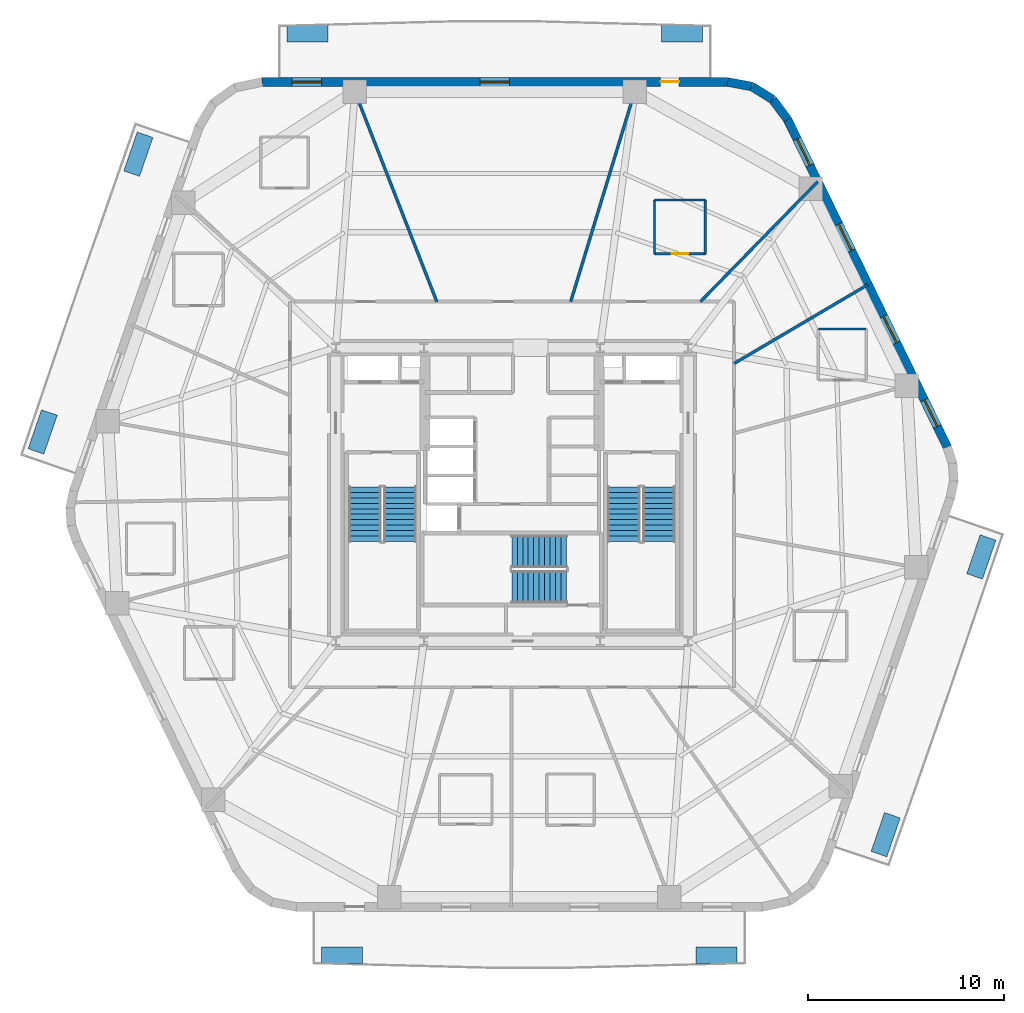
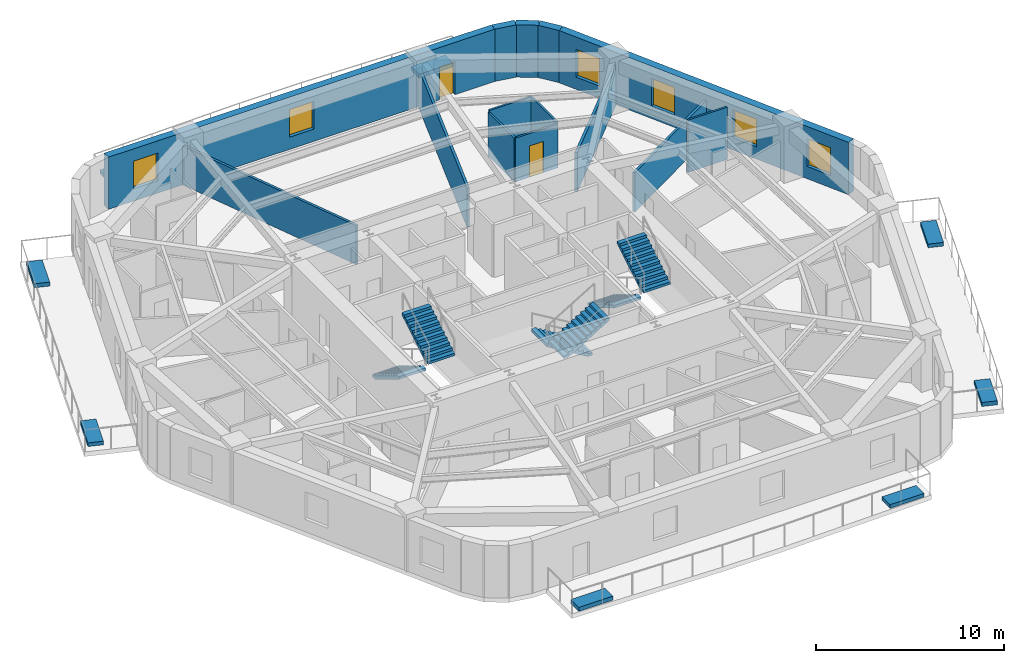
# One storey, part 6 of 8: 14 walls, 8 discrete accessories, 6 stair flights, 6 windows, 2 doors, 8 openings, 3 elements without a shape of their own.
"""IFC4 building model written with IfcOpenShell, lengths in metres."""

from ifc_helpers import new_model, si_unit, direction, frame, frame_2d, origin, origin_2d, place, context, subcontext, project, spatial, polyline, rectangle, outline, extrude, material, layer, layer_set, type_object, element, fill, aggregate, save


model = new_model("IFC4")

# Units and contexts
model_context = context("Model", 3, precision=1e-05, world=origin(), true_north=direction((0.0, 1.0)))
body_context = subcontext(model_context, "Body", "Model", "MODEL_VIEW")
ifc_project = project(units=[si_unit("LENGTHUNIT", "METRE"), si_unit("AREAUNIT", "SQUARE_METRE"), si_unit("VOLUMEUNIT", "CUBIC_METRE"), si_unit("PLANEANGLEUNIT", "RADIAN"), si_unit("MASSUNIT", "GRAM", prefix="KILO")], contexts=[model_context])

# Site, building, storey
site_placement = place(None, origin())
site = spatial("IfcSite", under=ifc_project, at=site_placement, CompositionType="ELEMENT")
building_placement = place(site_placement, origin())
building = spatial("IfcBuilding", under=site, at=building_placement, Name="Kilnhurst Terrace Hotel", CompositionType="ELEMENT")
storey_placement = place(building_placement, frame((0.0, 0.0, 102.5)))
storey = spatial("IfcBuildingStorey", under=building, at=storey_placement, Name="L24", CompositionType="ELEMENT", Elevation=102.5)

# Walls
ifc_material_1 = material(Name="Precast concrete C40/50", Category="concrete")
ifc_layer_1 = layer(ifc_material_1, 0.449951171875, Name="Precast concrete C40/50")
ifc_layer_set_1 = layer_set([ifc_layer_1], Name="Precast concrete C40/50")
wall_type_1 = type_object("IfcWallType", Name="WL-BRK-450", PredefinedType="SOLIDWALL", material=ifc_layer_set_1)
wall_1_placement = place(storey_placement, frame((14.07568359375, 19.16064453125, 0.0), z_axis=(0.0, 0.0, 1.0), x_axis=(-0.597226657159, 0.802072515412, 0.0)))
element("IfcWall", 1, at=wall_1_placement, inside=storey, type_object=wall_type_1, Name="L24 Rounded Corner Brick Wall C4.1", PredefinedType="SOLIDWALL", context=body_context, shape_type="SweptSolid", body=[
    extrude(rectangle(XDim=1.269287109375, YDim=0.449951171875, at=frame_2d((0.634765625, 0.0))), origin(), (0.0, 0.0, 1.0), 3.39990234375),
])
wall_2_placement = place(storey_placement, frame((13.317626953125, 20.1787109375, 0.0), z_axis=(0.0, 0.0, 1.0), x_axis=(-0.848031272749, 0.529946186362, 0.0)))
element("IfcWall", 2, at=wall_2_placement, inside=storey, type_object=wall_type_1, Name="L24 Rounded Corner Brick Wall C4.2", PredefinedType="SOLIDWALL", context=body_context, shape_type="SweptSolid", body=[
    extrude(rectangle(XDim=1.248046875, YDim=0.449951171875, at=frame_2d((0.6240234375, 0.0))), origin(), (0.0, 0.0, 1.0), 3.39990234375),
])
wall_3_placement = place(storey_placement, frame((12.25927734375, 20.840087890625, 0.0), z_axis=(0.0, 0.0, 1.0), x_axis=(-0.982730354425, 0.185043374624, 0.0)))
element("IfcWall", 3, at=wall_3_placement, inside=storey, type_object=wall_type_1, Name="L24 Rounded Corner Brick Wall C4.3", PredefinedType="SOLIDWALL", context=body_context, shape_type="SweptSolid", body=[
    extrude(rectangle(XDim=1.269287109375, YDim=0.449951171875, at=frame_2d((0.634765625, 0.0))), origin(), (0.0, 0.0, 1.0), 3.39990234375),
])

# Wall, openings, windows
wall_4_placement = place(storey_placement, frame((22.237548828125, 2.426513671875, 0.0), z_axis=(0.0, 0.0, 1.0), x_axis=(-0.438374803278, 0.898792262901, 0.0)))
wall_4 = element("IfcWall", 4, at=wall_4_placement, inside=storey, type_object=wall_type_1, Name="L24 Exterior Brick Facade Wall F3", PredefinedType="SOLIDWALL", context=body_context, shape_type="SweptSolid", body=[
    extrude(rectangle(XDim=18.618408203125, YDim=0.449951171875, at=frame_2d((9.30908203125, 0.0))), origin(), (0.0, 0.0, 1.0), 3.39990234375),
])
opening_1_placement = place(wall_4_placement, frame((5.926025390625, 0.0, 0.800048828125)))
opening_1 = element("IfcOpeningElement", 5, at=opening_1_placement, cuts=wall_4, Name="Opening W-02", PredefinedType="OPENING", context=body_context, shape_type="SweptSolid", body=[
    extrude(rectangle(XDim=1.5, YDim=1.800048828125, at=frame_2d((0.75, 0.89990234375))), frame((0.0, 0.23486328125, 0.0), z_axis=(0.0, -1.0, 0.0), x_axis=(1.0, 0.0, 0.0)), (0.0, 0.0, 1.0), 0.469970703125),
])
opening_2_placement = place(wall_4_placement, frame((11.1650390625, 0.0, 0.800048828125)))
opening_2 = element("IfcOpeningElement", 6, at=opening_2_placement, cuts=wall_4, Name="Opening W-02", PredefinedType="OPENING", context=body_context, shape_type="SweptSolid", body=[
    extrude(rectangle(XDim=1.5, YDim=1.800048828125, at=frame_2d((0.75, 0.89990234375))), frame((0.0, 0.23486328125, 0.0), z_axis=(0.0, -1.0, 0.0), x_axis=(1.0, 0.0, 0.0)), (0.0, 0.0, 1.0), 0.469970703125),
])
opening_3_placement = place(wall_4_placement, frame((16.006103515625, 0.0, 0.800048828125)))
opening_3 = element("IfcOpeningElement", 7, at=opening_3_placement, cuts=wall_4, Name="Opening W-02", PredefinedType="OPENING", context=body_context, shape_type="SweptSolid", body=[
    extrude(rectangle(XDim=1.5, YDim=1.800048828125, at=frame_2d((0.75, 0.89990234375))), frame((0.0, 0.23486328125, 0.0), z_axis=(0.0, -1.0, 0.0), x_axis=(1.0, 0.0, 0.0)), (0.0, 0.0, 1.0), 0.469970703125),
])
opening_4_placement = place(wall_4_placement, frame((1.1630859375, 0.0, 0.800048828125)))
opening_4 = element("IfcOpeningElement", 8, at=opening_4_placement, cuts=wall_4, Name="Opening W-02", PredefinedType="OPENING", context=body_context, shape_type="SweptSolid", body=[
    extrude(rectangle(XDim=1.5, YDim=1.800048828125, at=frame_2d((0.75, 0.89990234375))), frame((0.0, 0.23486328125, 0.0), z_axis=(0.0, -1.0, 0.0), x_axis=(1.0, 0.0, 0.0)), (0.0, 0.0, 1.0), 0.469970703125),
])
ifc_material_2 = material(Name="Thermally Broken Bronze Aluminium Alloy 6063-T6 and Low-E Glass", Category="aluminium")
window_type = type_object("IfcWindowType", Name="WIN-1500X1800", PartitioningType="SINGLE_PANEL", PredefinedType="WINDOW", material=ifc_material_2)
window_1_placement = place(opening_1_placement, origin())
window_1 = element("IfcWindow", 9, at=window_1_placement, inside=storey, type_object=window_type, Name="L24 Deep-Set Masonry Window F3.1", OverallHeight=1.800048828125, OverallWidth=1.5, PartitioningType="SINGLE_PANEL", PredefinedType="WINDOW", context=body_context, shape_type="SweptSolid", body=[
    extrude(rectangle(XDim=1.5, YDim=1.800048828125, at=frame_2d((0.75, 0.89990234375))), frame((0.0, 0.030029296875, 0.0), z_axis=(0.0, -1.0, 0.0), x_axis=(1.0, 0.0, 0.0)), (0.0, 0.0, 1.0), 0.06005859375),
])
fill(opening_1, window_1)
window_2_placement = place(opening_2_placement, origin())
window_2 = element("IfcWindow", 10, at=window_2_placement, inside=storey, type_object=window_type, Name="L24 Deep-Set Masonry Window F3.2", OverallHeight=1.800048828125, OverallWidth=1.5, PartitioningType="SINGLE_PANEL", PredefinedType="WINDOW", context=body_context, shape_type="SweptSolid", body=[
    extrude(rectangle(XDim=1.5, YDim=1.800048828125, at=frame_2d((0.75, 0.89990234375))), frame((0.0, 0.030029296875, 0.0), z_axis=(0.0, -1.0, 0.0), x_axis=(1.0, 0.0, 0.0)), (0.0, 0.0, 1.0), 0.06005859375),
])
fill(opening_2, window_2)
window_3_placement = place(opening_3_placement, origin())
window_3 = element("IfcWindow", 11, at=window_3_placement, inside=storey, type_object=window_type, Name="L24 Deep-Set Masonry Window F3.3", OverallHeight=1.800048828125, OverallWidth=1.5, PartitioningType="SINGLE_PANEL", PredefinedType="WINDOW", context=body_context, shape_type="SweptSolid", body=[
    extrude(rectangle(XDim=1.5, YDim=1.800048828125, at=frame_2d((0.75, 0.89990234375))), frame((0.0, 0.030029296875, 0.0), z_axis=(0.0, -1.0, 0.0), x_axis=(1.0, 0.0, 0.0)), (0.0, 0.0, 1.0), 0.06005859375),
])
fill(opening_3, window_3)
window_4_placement = place(opening_4_placement, origin())
window_4 = element("IfcWindow", 12, at=window_4_placement, inside=storey, type_object=window_type, Name="L24 Deep-Set Masonry Window F3.4", OverallHeight=1.800048828125, OverallWidth=1.5, PartitioningType="SINGLE_PANEL", PredefinedType="WINDOW", context=body_context, shape_type="SweptSolid", body=[
    extrude(rectangle(XDim=1.5, YDim=1.800048828125, at=frame_2d((0.75, 0.89990234375))), frame((0.0, 0.030029296875, 0.0), z_axis=(0.0, -1.0, 0.0), x_axis=(1.0, 0.0, 0.0)), (0.0, 0.0, 1.0), 0.06005859375),
])
fill(opening_4, window_4)

# Wall, openings, door, windows
wall_5_placement = place(storey_placement, frame((11.011962890625, 21.074951171875, 0.0), z_axis=(0.0, 0.0, 1.0), x_axis=(-1.0, 0.0, 0.0)))
wall_5 = element("IfcWall", 13, at=wall_5_placement, inside=storey, type_object=wall_type_1, Name="L24 Exterior Brick Facade Wall F4", PredefinedType="SOLIDWALL", context=body_context, shape_type="SweptSolid", body=[
    extrude(rectangle(XDim=23.782470703125, YDim=0.449951171875, at=frame_2d((11.89111328125, 0.0))), origin(), (0.0, 0.0, 1.0), 3.39990234375),
])
opening_5_placement = place(wall_5_placement, frame((2.472900390625, 0.0, 0.0)))
opening_5 = element("IfcOpeningElement", 14, at=opening_5_placement, cuts=wall_5, Name="Opening BD-950", PredefinedType="OPENING", context=body_context, shape_type="SweptSolid", body=[
    extrude(rectangle(XDim=0.949951171875, YDim=2.14990234375, at=frame_2d((0.47509765625, 1.074951171875))), frame((0.0, 0.23486328125, 0.0), z_axis=(0.0, -1.0, 0.0), x_axis=(1.0, 0.0, 0.0)), (0.0, 0.0, 1.0), 0.469970703125),
])
opening_6_placement = place(wall_5_placement, frame((11.14208984375, 0.0, 0.800048828125)))
opening_6 = element("IfcOpeningElement", 15, at=opening_6_placement, cuts=wall_5, Name="Opening W-02", PredefinedType="OPENING", context=body_context, shape_type="SweptSolid", body=[
    extrude(rectangle(XDim=1.5, YDim=1.800048828125, at=frame_2d((0.75, 0.89990234375))), frame((0.0, 0.23486328125, 0.0), z_axis=(0.0, -1.0, 0.0), x_axis=(1.0, 0.0, 0.0)), (0.0, 0.0, 1.0), 0.469970703125),
])
opening_7_placement = place(wall_5_placement, frame((20.740966796875, 0.0, 0.800048828125)))
opening_7 = element("IfcOpeningElement", 16, at=opening_7_placement, cuts=wall_5, Name="Opening W-02", PredefinedType="OPENING", context=body_context, shape_type="SweptSolid", body=[
    extrude(rectangle(XDim=1.5, YDim=1.800048828125, at=frame_2d((0.75, 0.89990234375))), frame((0.0, 0.23486328125, 0.0), z_axis=(0.0, -1.0, 0.0), x_axis=(1.0, 0.0, 0.0)), (0.0, 0.0, 1.0), 0.469970703125),
])
ifc_material_3 = material(Name="Thermally Broken Bronze Aluminium Alloy 6063-T6 and Laminated Glass", Category="aluminium")
door_type_1 = type_object("IfcDoorType", Name="DR-EXT-BAL-950", OperationType="NOTDEFINED", PredefinedType="DOOR", material=ifc_material_3)
door_1_placement = place(opening_5_placement, origin())
door_1 = element("IfcDoor", 17, at=door_1_placement, inside=storey, type_object=door_type_1, Name="L24 Planted Balcony Door BAL-L2A", OperationType="SINGLE_SWING_RIGHT", OverallHeight=2.14990234375, OverallWidth=0.949951171875, PredefinedType="DOOR", context=body_context, shape_type="SweptSolid", body=[
    extrude(rectangle(XDim=0.949951171875, YDim=2.14990234375, at=frame_2d((0.47509765625, 1.074951171875))), frame((0.0, 0.02490234375, 0.0), z_axis=(0.0, -1.0, 0.0), x_axis=(1.0, 0.0, 0.0)), (0.0, 0.0, 1.0), 0.050048828125),
])
fill(opening_5, door_1)
window_5_placement = place(opening_6_placement, origin())
window_5 = element("IfcWindow", 18, at=window_5_placement, inside=storey, type_object=window_type, Name="L24 Deep-Set Masonry Window F4.1", OverallHeight=1.800048828125, OverallWidth=1.5, PartitioningType="SINGLE_PANEL", PredefinedType="WINDOW", context=body_context, shape_type="SweptSolid", body=[
    extrude(rectangle(XDim=1.5, YDim=1.800048828125, at=frame_2d((0.75, 0.89990234375))), frame((0.0, 0.030029296875, 0.0), z_axis=(0.0, -1.0, 0.0), x_axis=(1.0, 0.0, 0.0)), (0.0, 0.0, 1.0), 0.06005859375),
])
fill(opening_6, window_5)
window_6_placement = place(opening_7_placement, origin())
window_6 = element("IfcWindow", 19, at=window_6_placement, inside=storey, type_object=window_type, Name="L24 Deep-Set Masonry Window F4.2", OverallHeight=1.800048828125, OverallWidth=1.5, PartitioningType="SINGLE_PANEL", PredefinedType="WINDOW", context=body_context, shape_type="SweptSolid", body=[
    extrude(rectangle(XDim=1.5, YDim=1.800048828125, at=frame_2d((0.75, 0.89990234375))), frame((0.0, 0.030029296875, 0.0), z_axis=(0.0, -1.0, 0.0), x_axis=(1.0, 0.0, 0.0)), (0.0, 0.0, 1.0), 0.06005859375),
])
fill(opening_7, window_6)

# Walls
ifc_material_4 = material(Name="STC-58 Acoustic Twin-Frame Guestroom Demising Partition")
ifc_layer_2 = layer(ifc_material_4, 0.14990234375, Name="STC-58 Acoustic Twin-Frame Guestroom Demising Partition")
ifc_layer_set_2 = layer_set([ifc_layer_2], Name="STC-58 Acoustic Twin-Frame Guestroom Demising Partition")
wall_type_2 = type_object("IfcWallType", Name="WL-DEM-150", PredefinedType="PARTITIONING", material=ifc_layer_set_2)
wall_6_placement = place(storey_placement, frame((11.35009765625, 6.69091796875, 0.0), z_axis=(0.0, 0.0, 1.0), x_axis=(0.861446954497, 0.507847560383, 0.0)))
element("IfcWall", 20, at=wall_6_placement, inside=storey, type_object=wall_type_2, Name="L24 Interior Wall WL-L24-DEM-MID01-02-1", PredefinedType="PARTITIONING", context=body_context, shape_type="SweptSolid", body=[
    extrude(rectangle(XDim=7.94091796875, YDim=0.14990234375, at=frame_2d((3.970458984375, 0.0))), origin(), (0.0, 0.0, 1.0), 2.5400390625),
])
wall_7_placement = place(storey_placement, frame((9.6279296875, 9.85009765625, 0.0), z_axis=(0.0, 0.0, 1.0), x_axis=(0.698992824326, 0.715128681805, 0.0)))
element("IfcWall", 21, at=wall_7_placement, inside=storey, type_object=wall_type_2, Name="L24 Interior Wall WL-L24-DEM-COL02-03-1", PredefinedType="PARTITIONING", context=body_context, shape_type="SweptSolid", body=[
    extrude(rectangle(XDim=8.578857421875, YDim=0.14990234375, at=frame_2d((4.28955078125, 0.0))), origin(), (0.0, 0.0, 1.0), 2.5400390625),
])
wall_8_placement = place(storey_placement, frame((3.0, 9.85009765625, 0.0), z_axis=(0.0, 0.0, 1.0), x_axis=(0.291352035382, 0.95661590593, 0.0)))
element("IfcWall", 22, at=wall_8_placement, inside=storey, type_object=wall_type_2, Name="L24 Interior Wall WL-L24-DEM-COL03-04-1", PredefinedType="PARTITIONING", context=body_context, shape_type="SweptSolid", body=[
    extrude(rectangle(XDim=11.73388671875, YDim=0.14990234375, at=frame_2d((5.866943359375, 0.0))), origin(), (0.0, 0.0, 1.0), 2.5400390625),
])
wall_9_placement = place(storey_placement, frame((-3.84228515625, 9.85009765625, 0.0), z_axis=(0.0, 0.0, 1.0), x_axis=(-0.363432685593, 0.931620460833, 0.0)))
element("IfcWall", 23, at=wall_9_placement, inside=storey, type_object=wall_type_2, Name="L24 Interior Wall WL-L24-DEM-COL04-05-1", PredefinedType="PARTITIONING", context=body_context, shape_type="SweptSolid", body=[
    extrude(rectangle(XDim=12.048828125, YDim=0.14990234375, at=frame_2d((6.0244140625, 0.0))), origin(), (0.0, 0.0, 1.0), 2.5400390625),
])
ifc_material_5 = material(Name="120 mm Moisture-Resistant Tile-Backed Bathroom Partition")
ifc_layer_3 = layer(ifc_material_5, 0.1201171875, Name="120 mm Moisture-Resistant Tile-Backed Bathroom Partition")
ifc_layer_set_3 = layer_set([ifc_layer_3], Name="120 mm Moisture-Resistant Tile-Backed Bathroom Partition")
wall_type_3 = type_object("IfcWallType", Name="WL-PART-120", PredefinedType="PARTITIONING", material=ifc_layer_set_3)
wall_10_placement = place(storey_placement, frame((18.093994140625, 8.4560546875, 0.0), z_axis=(0.0, 0.0, 1.0), x_axis=(-1.0, 0.0, 0.0)))
element("IfcWall", 24, at=wall_10_placement, inside=storey, type_object=wall_type_3, Name="L24 Interior Wall WL-L24-BTH-01-3", PredefinedType="PARTITIONING", context=body_context, shape_type="SweptSolid", body=[
    extrude(rectangle(XDim=2.43994140625, YDim=0.1201171875, at=frame_2d((1.219970703125, 0.0))), origin(), (0.0, 0.0, 1.0), 3.39990234375),
])

# Wall, opening, door
wall_11_placement = place(storey_placement, frame((7.277099609375, 12.294921875, 0.0), z_axis=(0.0, 0.0, 1.0), x_axis=(1.0, 0.0, 0.0)))
wall_11 = element("IfcWall", 25, at=wall_11_placement, inside=storey, type_object=wall_type_3, Name="L24 Interior Wall WL-L24-BTH-03-1", PredefinedType="PARTITIONING", context=body_context, shape_type="SweptSolid", body=[
    extrude(rectangle(XDim=2.599853515625, YDim=0.1201171875, at=frame_2d((1.2998046875, 0.0))), origin(), (0.0, 0.0, 1.0), 2.84033203125),
])
opening_8_placement = place(wall_11_placement, frame((0.875, 0.0, 0.0)))
opening_8 = element("IfcOpeningElement", 26, at=opening_8_placement, cuts=wall_11, Name="Opening D-08A", PredefinedType="OPENING", context=body_context, shape_type="SweptSolid", body=[
    extrude(rectangle(XDim=0.85009765625, YDim=2.030029296875, at=frame_2d((0.425048828125, 1.01513671875))), frame((0.0, 0.070068359375, 0.0), z_axis=(0.0, -1.0, 0.0), x_axis=(1.0, 0.0, 0.0)), (0.0, 0.0, 1.0), 0.14013671875),
])
ifc_material_6 = material(Name="Moisture-Resistant Lacquered En-suite Bathroom Door")
door_type_2 = type_object("IfcDoorType", Name="DR-INT-850", OperationType="NOTDEFINED", PredefinedType="DOOR", material=ifc_material_6)
door_2_placement = place(opening_8_placement, origin())
door_2 = element("IfcDoor", 27, at=door_2_placement, inside=storey, type_object=door_type_2, Name="L24 En-suite Bathroom Door 3", OperationType="SINGLE_SWING_RIGHT", OverallHeight=2.030029296875, OverallWidth=0.85009765625, PredefinedType="DOOR", context=body_context, shape_type="SweptSolid", body=[
    extrude(rectangle(XDim=0.85009765625, YDim=2.030029296875, at=frame_2d((0.425048828125, 1.01513671875))), frame((0.0, 0.02490234375, 0.0), z_axis=(0.0, -1.0, 0.0), x_axis=(1.0, 0.0, 0.0)), (0.0, 0.0, 1.0), 0.050048828125),
])
fill(opening_8, door_2)

# Walls
wall_12_placement = place(storey_placement, frame((9.876953125, 12.294921875, 0.0), z_axis=(0.0, 0.0, 1.0), x_axis=(0.0, 1.0, 0.0)))
element("IfcWall", 28, at=wall_12_placement, inside=storey, type_object=wall_type_3, Name="L24 Interior Wall WL-L24-BTH-03-2", PredefinedType="PARTITIONING", context=body_context, shape_type="SweptSolid", body=[
    extrude(rectangle(XDim=2.75, YDim=0.1201171875, at=frame_2d((1.375, 0.0))), origin(), (0.0, 0.0, 1.0), 2.972412109375),
])
wall_13_placement = place(storey_placement, frame((9.876953125, 15.044921875, 0.0), z_axis=(0.0, 0.0, 1.0), x_axis=(-1.0, 0.0, 0.0)))
element("IfcWall", 29, at=wall_13_placement, inside=storey, type_object=wall_type_3, Name="L24 Interior Wall WL-L24-BTH-03-3", PredefinedType="PARTITIONING", context=body_context, shape_type="SweptSolid", body=[
    extrude(rectangle(XDim=2.599853515625, YDim=0.1201171875, at=frame_2d((1.2998046875, 0.0))), origin(), (0.0, 0.0, 1.0), 2.972412109375),
])
wall_14_placement = place(storey_placement, frame((7.277099609375, 15.044921875, 0.0), z_axis=(0.0, 0.0, 1.0), x_axis=(0.0, -1.0, 0.0)))
element("IfcWall", 30, at=wall_14_placement, inside=storey, type_object=wall_type_3, Name="L24 Interior Wall WL-L24-BTH-03-4", PredefinedType="PARTITIONING", context=body_context, shape_type="SweptSolid", body=[
    extrude(rectangle(XDim=2.75, YDim=0.1201171875, at=frame_2d((1.375, 0.0))), origin(), (0.0, 0.0, 1.0), 2.84033203125),
])

# Stair, stair flights
ifc_material_7 = material(Name="Concrete C50/60", Category="concrete")
stair_type = type_object("IfcStairType", Name="STR-CORE-1660", PredefinedType="HALF_TURN_STAIR", material=ifc_material_7)
stair_1_placement = place(storey_placement, origin())
stair_1 = element("IfcStair", 31, at=stair_1_placement, inside=storey, type_object=stair_type, Name="L24 ST-1", PredefinedType="HALF_TURN_STAIR")
stair_flight_type = type_object("IfcStairFlightType", Name="FLT-RC-1660", PredefinedType="STRAIGHT", material=ifc_material_7)
stair_flight_1_placement = place(storey_placement, frame((-7.52001953125, 0.389892578125, 0.0), z_axis=(0.0, 0.0, 1.0), x_axis=(0.0, -1.0, 0.0)))
stair_flight_1 = element("IfcStairFlight", 32, at=stair_flight_1_placement, type_object=stair_flight_type, Name="ST-1 flight 1", NumberOfRisers=11, NumberOfTreads=10, PredefinedType="STRAIGHT", RiserHeight=0.168181818, TreadLength=0.28, context=body_context, shape_type="SweptSolid", body=[
    extrude(outline(polyline([(0.0, 0.0), (0.0, 0.168212890625), (0.280029296875, 0.168212890625), (0.280029296875, 0.33642578125), (0.56005859375, 0.33642578125), (0.56005859375, 0.504638671875), (0.840087890625, 0.504638671875), (0.840087890625, 0.672607421875), (1.1201171875, 0.672607421875), (1.1201171875, 0.8408203125), (1.39990234375, 0.8408203125), (1.39990234375, 1.009033203125), (1.679931640625, 1.009033203125), (1.679931640625, 1.17724609375), (1.9599609375, 1.17724609375), (1.9599609375, 1.345458984375), (2.239990234375, 1.345458984375), (2.239990234375, 1.513671875), (2.52001953125, 1.513671875), (2.52001953125, 1.681884765625), (2.800048828125, 1.681884765625), (2.800048828125, 1.85009765625), (2.800048828125, 1.5068359375), (0.291015625, 0.0), (0.0, 0.0)])), frame((0.0, 0.830078125, 0.0), z_axis=(0.0, -1.0, 0.0), x_axis=(1.0, 0.0, 0.0)), (0.0, 0.0, 1.0), 1.659912109375),
])
stair_flight_2_placement = place(storey_placement, frame((-5.7099609375, -2.409912109375, 1.85009765625), z_axis=(0.0, 0.0, 1.0), x_axis=(0.0, 1.0, 0.0)))
stair_flight_2 = element("IfcStairFlight", 33, at=stair_flight_2_placement, type_object=stair_flight_type, Name="ST-1 flight 2", NumberOfRisers=11, NumberOfTreads=10, PredefinedType="STRAIGHT", RiserHeight=0.168181818, TreadLength=0.28, context=body_context, shape_type="SweptSolid", body=[
    extrude(outline(polyline([(0.0, 0.0), (0.0, 0.168212890625), (0.280029296875, 0.168212890625), (0.280029296875, 0.33642578125), (0.56005859375, 0.33642578125), (0.56005859375, 0.504638671875), (0.840087890625, 0.504638671875), (0.840087890625, 0.672607421875), (1.1201171875, 0.672607421875), (1.1201171875, 0.8408203125), (1.39990234375, 0.8408203125), (1.39990234375, 1.009033203125), (1.679931640625, 1.009033203125), (1.679931640625, 1.17724609375), (1.9599609375, 1.17724609375), (1.9599609375, 1.345458984375), (2.239990234375, 1.345458984375), (2.239990234375, 1.513671875), (2.52001953125, 1.513671875), (2.52001953125, 1.681884765625), (2.800048828125, 1.681884765625), (2.800048828125, 1.85009765625), (2.800048828125, 1.5068359375), (0.291015625, 0.0), (0.0, 0.0)])), frame((0.0, 0.830078125, 0.0), z_axis=(0.0, -1.0, 0.0), x_axis=(1.0, 0.0, 0.0)), (0.0, 0.0, 1.0), 1.659912109375),
])
aggregate(stair_1, [stair_flight_1, stair_flight_2])

stair_2_placement = place(storey_placement, origin())
stair_2 = element("IfcStair", 34, at=stair_2_placement, inside=storey, type_object=stair_type, Name="L24 ST-2", PredefinedType="HALF_TURN_STAIR")
stair_flight_3_placement = place(storey_placement, frame((5.7099609375, 0.389892578125, 0.0), z_axis=(0.0, 0.0, 1.0), x_axis=(0.0, -1.0, 0.0)))
stair_flight_3 = element("IfcStairFlight", 35, at=stair_flight_3_placement, type_object=stair_flight_type, Name="ST-2 flight 1", NumberOfRisers=11, NumberOfTreads=10, PredefinedType="STRAIGHT", RiserHeight=0.168181818, TreadLength=0.28, context=body_context, shape_type="SweptSolid", body=[
    extrude(outline(polyline([(0.0, 0.0), (0.0, 0.168212890625), (0.280029296875, 0.168212890625), (0.280029296875, 0.33642578125), (0.56005859375, 0.33642578125), (0.56005859375, 0.504638671875), (0.840087890625, 0.504638671875), (0.840087890625, 0.672607421875), (1.1201171875, 0.672607421875), (1.1201171875, 0.8408203125), (1.39990234375, 0.8408203125), (1.39990234375, 1.009033203125), (1.679931640625, 1.009033203125), (1.679931640625, 1.17724609375), (1.9599609375, 1.17724609375), (1.9599609375, 1.345458984375), (2.239990234375, 1.345458984375), (2.239990234375, 1.513671875), (2.52001953125, 1.513671875), (2.52001953125, 1.681884765625), (2.800048828125, 1.681884765625), (2.800048828125, 1.85009765625), (2.800048828125, 1.5068359375), (0.291015625, 0.0), (0.0, 0.0)])), frame((0.0, 0.830078125, 0.0), z_axis=(0.0, -1.0, 0.0), x_axis=(1.0, 0.0, 0.0)), (0.0, 0.0, 1.0), 1.659912109375),
])
stair_flight_4_placement = place(storey_placement, frame((7.52001953125, -2.409912109375, 1.85009765625), z_axis=(0.0, 0.0, 1.0), x_axis=(0.0, 1.0, 0.0)))
stair_flight_4 = element("IfcStairFlight", 36, at=stair_flight_4_placement, type_object=stair_flight_type, Name="ST-2 flight 2", NumberOfRisers=11, NumberOfTreads=10, PredefinedType="STRAIGHT", RiserHeight=0.168181818, TreadLength=0.28, context=body_context, shape_type="SweptSolid", body=[
    extrude(outline(polyline([(0.0, 0.0), (0.0, 0.168212890625), (0.280029296875, 0.168212890625), (0.280029296875, 0.33642578125), (0.56005859375, 0.33642578125), (0.56005859375, 0.504638671875), (0.840087890625, 0.504638671875), (0.840087890625, 0.672607421875), (1.1201171875, 0.672607421875), (1.1201171875, 0.8408203125), (1.39990234375, 0.8408203125), (1.39990234375, 1.009033203125), (1.679931640625, 1.009033203125), (1.679931640625, 1.17724609375), (1.9599609375, 1.17724609375), (1.9599609375, 1.345458984375), (2.239990234375, 1.345458984375), (2.239990234375, 1.513671875), (2.52001953125, 1.513671875), (2.52001953125, 1.681884765625), (2.800048828125, 1.681884765625), (2.800048828125, 1.85009765625), (2.800048828125, 1.5068359375), (0.291015625, 0.0), (0.0, 0.0)])), frame((0.0, 0.830078125, 0.0), z_axis=(0.0, -1.0, 0.0), x_axis=(1.0, 0.0, 0.0)), (0.0, 0.0, 1.0), 1.659912109375),
])
aggregate(stair_2, [stair_flight_3, stair_flight_4])

stair_3_placement = place(storey_placement, origin())
stair_3 = element("IfcStair", 37, at=stair_3_placement, inside=storey, type_object=stair_type, Name="L24 ST-3", PredefinedType="HALF_TURN_STAIR")
stair_flight_5_placement = place(storey_placement, frame((2.7900390625, -2.909912109375, 0.0), z_axis=(0.0, 0.0, 1.0), x_axis=(-1.0, 0.0, 0.0)))
stair_flight_5 = element("IfcStairFlight", 38, at=stair_flight_5_placement, type_object=stair_flight_type, Name="ST-3 flight 1", NumberOfRisers=11, NumberOfTreads=10, PredefinedType="STRAIGHT", RiserHeight=0.168181818, TreadLength=0.28, context=body_context, shape_type="SweptSolid", body=[
    extrude(outline(polyline([(0.0, 0.0), (0.0, 0.168212890625), (0.280029296875, 0.168212890625), (0.280029296875, 0.33642578125), (0.56005859375, 0.33642578125), (0.56005859375, 0.504638671875), (0.840087890625, 0.504638671875), (0.840087890625, 0.672607421875), (1.1201171875, 0.672607421875), (1.1201171875, 0.8408203125), (1.39990234375, 0.8408203125), (1.39990234375, 1.009033203125), (1.679931640625, 1.009033203125), (1.679931640625, 1.17724609375), (1.9599609375, 1.17724609375), (1.9599609375, 1.345458984375), (2.239990234375, 1.345458984375), (2.239990234375, 1.513671875), (2.52001953125, 1.513671875), (2.52001953125, 1.681884765625), (2.800048828125, 1.681884765625), (2.800048828125, 1.85009765625), (2.800048828125, 1.5068359375), (0.291015625, 0.0), (0.0, 0.0)])), frame((0.0, 0.830078125, 0.0), z_axis=(0.0, -1.0, 0.0), x_axis=(1.0, 0.0, 0.0)), (0.0, 0.0, 1.0), 1.659912109375),
])
stair_flight_6_placement = place(storey_placement, frame((-0.010009765625, -4.719970703125, 1.85009765625), z_axis=(0.0, 0.0, 1.0), x_axis=(1.0, 0.0, 0.0)))
stair_flight_6 = element("IfcStairFlight", 39, at=stair_flight_6_placement, type_object=stair_flight_type, Name="ST-3 flight 2", NumberOfRisers=11, NumberOfTreads=10, PredefinedType="STRAIGHT", RiserHeight=0.168181818, TreadLength=0.28, context=body_context, shape_type="SweptSolid", body=[
    extrude(outline(polyline([(0.0, 0.0), (0.0, 0.168212890625), (0.280029296875, 0.168212890625), (0.280029296875, 0.33642578125), (0.56005859375, 0.33642578125), (0.56005859375, 0.504638671875), (0.840087890625, 0.504638671875), (0.840087890625, 0.672607421875), (1.1201171875, 0.672607421875), (1.1201171875, 0.8408203125), (1.39990234375, 0.8408203125), (1.39990234375, 1.009033203125), (1.679931640625, 1.009033203125), (1.679931640625, 1.17724609375), (1.9599609375, 1.17724609375), (1.9599609375, 1.345458984375), (2.239990234375, 1.345458984375), (2.239990234375, 1.513671875), (2.52001953125, 1.513671875), (2.52001953125, 1.681884765625), (2.800048828125, 1.681884765625), (2.800048828125, 1.85009765625), (2.800048828125, 1.5068359375), (0.291015625, 0.0), (0.0, 0.0)])), frame((0.0, 0.830078125, 0.0), z_axis=(0.0, -1.0, 0.0), x_axis=(1.0, 0.0, 0.0)), (0.0, 0.0, 1.0), 1.659912109375),
])
aggregate(stair_3, [stair_flight_5, stair_flight_6])

# Discrete accessories
ifc_material_8 = material(Name="Precast Concrete C40/50 Shrub Planter", Category="concrete")
discrete_accessory_type_1 = type_object("IfcDiscreteAccessoryType", Name="PLN-SHRUB-240", PredefinedType="USERDEFINED", material=ifc_material_8)
for number, where, z_axis, x_axis, name in (
    (40, (10.443603515625, -23.550048828125, 0.0), (0.0, 0.0, 1.0), (1.0, 0.0, 0.0), "L24 Structural Tree Planter Box PLANTER BAL-L1A.2"),
    (41, (23.9765625, -3.193115234375, 0.0), (0.0, 0.0, 1.0), (0.325601159083, 0.945507210551, 0.0), "L24 Structural Tree Planter Box PLANTER BAL-L1B.2"),
    (42, (-10.443603515625, 23.550048828125, 0.0), (0.0, 0.0, 1.0), (-1.0, 0.0, 0.0), "L24 Structural Tree Planter Box PLANTER BAL-L2A.2"),
    (43, (-23.9765625, 3.193115234375, 0.0), (0.0, 0.0, 1.0), (-0.325601159083, -0.945507210551, 0.0), "L24 Structural Tree Planter Box PLANTER BAL-L2B.2"),
):
    element("IfcDiscreteAccessory", number, at=place(storey_placement, frame(where, z_axis=z_axis, x_axis=x_axis)), inside=storey, type_object=discrete_accessory_type_1, Name=name, ObjectType="PLANTER", PredefinedType="USERDEFINED", context=body_context, shape_type="SweptSolid", body=[
        extrude(rectangle(XDim=2.10009765625, YDim=0.85009765625, at=origin_2d()), origin(), (0.0, 0.0, 1.0), 0.239990234375),
    ])
ifc_material_9 = material(Name="Precast Concrete C40/50 Tree Planter", Category="concrete")
discrete_accessory_type_2 = type_object("IfcDiscreteAccessoryType", Name="PLN-TREE-260", PredefinedType="USERDEFINED", material=ifc_material_9)
for number, where, z_axis, x_axis, name in (
    (44, (-8.68310546875, -23.550048828125, 0.0), (0.0, 0.0, 1.0), (1.0, 0.0, 0.0), "L24 Structural Tree Planter Box PLANTER BAL-L1A.1"),
    (45, (19.090087890625, -17.3828125, 0.0), (0.0, 0.0, 1.0), (0.325601159083, 0.945507210551, 0.0), "L24 Structural Tree Planter Box PLANTER BAL-L1B.1"),
    (46, (8.68310546875, 23.550048828125, 0.0), (0.0, 0.0, 1.0), (-1.0, 0.0, 0.0), "L24 Structural Tree Planter Box PLANTER BAL-L2A.1"),
    (47, (-19.090087890625, 17.3828125, 0.0), (0.0, 0.0, 1.0), (-0.325601159083, -0.945507210551, 0.0), "L24 Structural Tree Planter Box PLANTER BAL-L2B.1"),
):
    element("IfcDiscreteAccessory", number, at=place(storey_placement, frame(where, z_axis=z_axis, x_axis=x_axis)), inside=storey, type_object=discrete_accessory_type_2, Name=name, ObjectType="PLANTER", PredefinedType="USERDEFINED", context=body_context, shape_type="SweptSolid", body=[
        extrude(rectangle(XDim=2.10009765625, YDim=0.85009765625, at=origin_2d()), origin(), (0.0, 0.0, 1.0), 0.260009765625),
    ])

save(model, "model.ifc")
